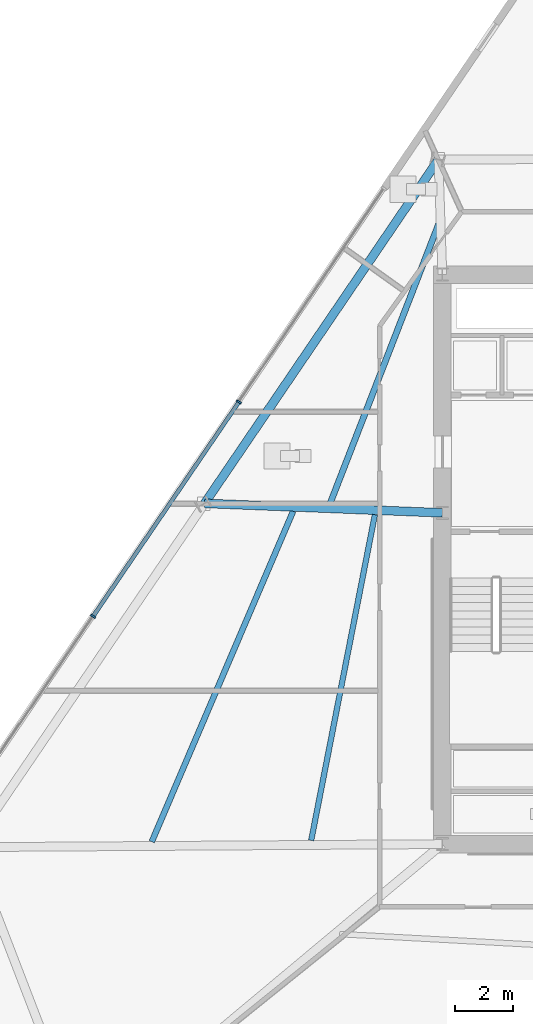
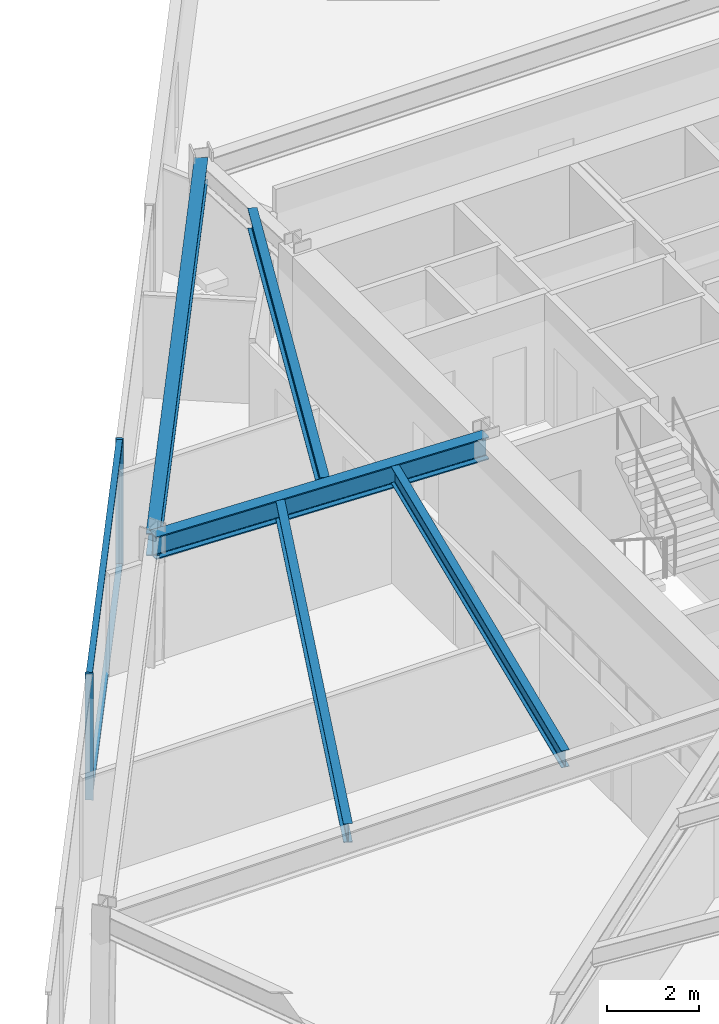
# One storey, part 4 of 18: 5 beams, 4 members, 1 element without a shape of its own.
"""IFC4 building model written with IfcOpenShell, lengths in metres."""

from ifc_helpers import new_model, si_unit, direction, frame, origin, origin_2d, place, context, subcontext, project, spatial, rectangle, i_section, extrude, material, material_profile, profile_set, type_object, element, aggregate, save


model = new_model("IFC4")

# Units and contexts
model_context = context("Model", 3, precision=1e-05, world=origin(), true_north=direction((0.0, 1.0)))
body_context = subcontext(model_context, "Body", "Model", "MODEL_VIEW")
ifc_project = project(units=[si_unit("LENGTHUNIT", "METRE"), si_unit("AREAUNIT", "SQUARE_METRE"), si_unit("VOLUMEUNIT", "CUBIC_METRE"), si_unit("PLANEANGLEUNIT", "RADIAN"), si_unit("MASSUNIT", "GRAM", prefix="KILO")], contexts=[model_context])

# Site, building, storey
site_placement = place(None, origin())
site = spatial("IfcSite", under=ifc_project, at=site_placement, CompositionType="ELEMENT")
building_placement = place(site_placement, origin())
building = spatial("IfcBuilding", under=site, at=building_placement, Name="Savorim Split Tower", CompositionType="ELEMENT")
storey_placement = place(building_placement, frame((0.0, 0.0, 40.800048828125)))
storey = spatial("IfcBuildingStorey", under=building, at=storey_placement, Name="L10", CompositionType="ELEMENT", Elevation=40.800048828125)

# Beams
ifc_material_1 = material(Name="Steel S355", Category="steel")
ifc_material_profile_1 = material_profile(ifc_material_1, i_section(OverallWidth=0.18994140625, OverallDepth=0.449951171875, WebThickness=0.009521484375, FlangeThickness=0.0146484375, FilletRadius=0.02099609375, at=origin_2d()), Name="IPE 450")
ifc_profile_set_1 = profile_set([ifc_material_profile_1], Name="Steel S355")
beam_type_1 = type_object("IfcBeamType", Name="BM-JST-IPE450", PredefinedType="JOIST", material=ifc_profile_set_1)
beam_1_placement = place(storey_placement, frame((-10.021484375, 1.93408203125, 3.125), z_axis=(-0.191957438631, -0.981403251347, 0.0), x_axis=(0.981403251347, -0.191957438631, 0.0)))
element("IfcBeam", 1, at=beam_1_placement, inside=storey, type_object=beam_type_1, Name="L10 Secondary Floor Joist JS-11", PredefinedType="JOIST", context=body_context, shape_type="SweptSolid", body=[
    extrude(i_section(OverallWidth=0.18994140625, OverallDepth=0.449951171875, WebThickness=0.009521484375, FlangeThickness=0.0146484375, FilletRadius=0.02099609375, at=origin_2d()), origin(), (0.0, 0.0, 1.0), 11.418701171875),
])
ifc_material_profile_2 = material_profile(ifc_material_1, i_section(OverallWidth=0.199951171875, OverallDepth=0.5, WebThickness=0.01025390625, FlangeThickness=0.01611328125, FilletRadius=0.02099609375, at=origin_2d()), Name="IPE 500")
ifc_profile_set_2 = profile_set([ifc_material_profile_2], Name="Steel S355")
beam_type_2 = type_object("IfcBeamType", Name="BM-JST-IPE500", PredefinedType="JOIST", material=ifc_profile_set_2)
beam_2_placement = place(storey_placement, frame((-12.835205078125, 2.054931640625, 3.099853515625), z_axis=(-0.39323072224, -0.919439828965, 0.0), x_axis=(0.919439828965, -0.39323072224, 0.0)))
element("IfcBeam", 2, at=beam_2_placement, inside=storey, type_object=beam_type_2, Name="L10 Secondary Floor Joist JS-10", PredefinedType="JOIST", context=body_context, shape_type="SweptSolid", body=[
    extrude(i_section(OverallWidth=0.199951171875, OverallDepth=0.5, WebThickness=0.01025390625, FlangeThickness=0.01611328125, FilletRadius=0.02099609375, at=origin_2d()), origin(), (0.0, 0.0, 1.0), 12.36865234375),
])
ifc_material_profile_3 = material_profile(ifc_material_1, i_section(OverallWidth=0.2099609375, OverallDepth=0.550048828125, WebThickness=0.010986328125, FlangeThickness=0.01708984375, FilletRadius=0.02392578125, at=origin_2d()), Name="IPE 550")
ifc_profile_set_3 = profile_set([ifc_material_profile_3], Name="Steel S355")
beam_type_3 = type_object("IfcBeamType", Name="BM-JST-IPE550", PredefinedType="JOIST", material=ifc_profile_set_3)
beam_3_placement = place(storey_placement, frame((-7.822021484375, 11.94970703125, 3.074951171875), z_axis=(-0.362153600508, -0.932118431123, 0.0), x_axis=(0.932118431123, -0.362153600508, 0.0)))
element("IfcBeam", 3, at=beam_3_placement, inside=storey, type_object=beam_type_3, Name="L10 Secondary Floor Joist JS-09", PredefinedType="JOIST", context=body_context, shape_type="SweptSolid", body=[
    extrude(i_section(OverallWidth=0.2099609375, OverallDepth=0.550048828125, WebThickness=0.010986328125, FlangeThickness=0.01708984375, FilletRadius=0.02392578125, at=origin_2d()), origin(), (0.0, 0.0, 1.0), 10.3466796875),
])
ifc_material_profile_4 = material_profile(ifc_material_1, i_section(OverallWidth=0.300048828125, OverallDepth=0.60009765625, WebThickness=0.015380859375, FlangeThickness=0.030029296875, FilletRadius=0.027099609375, at=origin_2d()), Name="HEB 600")
ifc_profile_set_4 = profile_set([ifc_material_profile_4], Name="Steel S355")
beam_type_4 = type_object("IfcBeamType", Name="BM-PRI-HEB600", PredefinedType="BEAM", material=ifc_profile_set_4)
beam_4_placement = place(storey_placement, frame((-15.88134765625, 2.32568359375, 3.050048828125), z_axis=(0.999208609004, -0.039776320743, 0.0), x_axis=(0.039776320743, 0.999208609004, 0.0)))
element("IfcBeam", 4, at=beam_4_placement, inside=storey, type_object=beam_type_4, Name="L10 Primary Floor Girder RG-09", PredefinedType="BEAM", context=body_context, shape_type="SweptSolid", body=[
    extrude(i_section(OverallWidth=0.300048828125, OverallDepth=0.60009765625, WebThickness=0.015380859375, FlangeThickness=0.030029296875, FilletRadius=0.027099609375, at=origin_2d()), origin(), (0.0, 0.0, 1.0), 8.18798828125),
])
ifc_material_profile_5 = material_profile(ifc_material_1, i_section(OverallWidth=0.300048828125, OverallDepth=0.590087890625, WebThickness=0.012939453125, FlangeThickness=0.02490234375, FilletRadius=0.027099609375, at=origin_2d()), Name="HEA 600")
ifc_profile_set_5 = profile_set([ifc_material_profile_5], Name="Steel S355")
beam_type_5 = type_object("IfcBeamType", Name="BM-SPN-HEA600", PredefinedType="SPANDREL", material=ifc_profile_set_5)
beam_5_placement = place(storey_placement, frame((-7.83349609375, 14.15576171875, 3.054931640625), z_axis=(-0.562472428648, -0.82681604182, 0.0), x_axis=(0.82681604182, -0.562472428648, 0.0)))
element("IfcBeam", 5, at=beam_5_placement, inside=storey, type_object=beam_type_5, Name="L10 Perimeter Spandrel Beam 8", PredefinedType="SPANDREL", context=body_context, shape_type="SweptSolid", body=[
    extrude(i_section(OverallWidth=0.300048828125, OverallDepth=0.590087890625, WebThickness=0.012939453125, FlangeThickness=0.02490234375, FilletRadius=0.027099609375, at=origin_2d()), origin(), (0.0, 0.0, 1.0), 14.30810546875),
])

# Curtain wall, members
ifc_material_2 = material(Name="Dark Ceramic-Fritted Insulated Glass", Category="glass")
curtain_wall_type = type_object("IfcCurtainWallType", Name="CW-TWR-FRIT-A", PredefinedType="NOTDEFINED", material=ifc_material_2)
curtain_wall_placement = place(storey_placement, origin())
curtain_wall = element("IfcCurtainWall", 6, at=curtain_wall_placement, inside=storey, type_object=curtain_wall_type, Name="L10 Curtain Wall CW-L10-WEST", PredefinedType="NOTDEFINED")
ifc_material_3 = material(Name="Charcoal Anodised Aluminium", Category="aluminium")
ifc_material_profile_6 = material_profile(ifc_material_3, rectangle(XDim=0.179931640625, YDim=0.06494140625, at=origin_2d()), Name="ALU-M 180x65")
ifc_profile_set_6 = profile_set([ifc_material_profile_6], Name="Charcoal Anodised Aluminium")
member_type_1 = type_object("IfcMemberType", Name="CWM-180x65", PredefinedType="MULLION", material=ifc_profile_set_6)
member_1_placement = place(storey_placement, frame((-14.700927734375, 5.81591796875, 0.0), z_axis=(0.0, 0.0, 1.0), x_axis=(0.826820923165, -0.562465253164, 0.0)))
member_1 = element("IfcMember", 7, at=member_1_placement, type_object=member_type_1, Name="CW-02 mullion 2", PredefinedType="MULLION", context=body_context, shape_type="SweptSolid", body=[
    extrude(rectangle(XDim=0.179931640625, YDim=0.06494140625, at=origin_2d()), origin(), (0.0, 0.0, 1.0), 3.349853515625),
])
member_2_placement = place(storey_placement, frame((-19.718017578125, -1.55908203125, 0.0), z_axis=(0.0, 0.0, 1.0), x_axis=(0.826820923165, -0.562465253164, 0.0)))
member_2 = element("IfcMember", 8, at=member_2_placement, type_object=member_type_1, Name="CW-02 mullion 3", PredefinedType="MULLION", context=body_context, shape_type="SweptSolid", body=[
    extrude(rectangle(XDim=0.179931640625, YDim=0.06494140625, at=origin_2d()), origin(), (0.0, 0.0, 1.0), 3.349853515625),
])
ifc_material_profile_7 = material_profile(ifc_material_3, rectangle(XDim=0.139892578125, YDim=0.054931640625, at=origin_2d()), Name="ALU-T 140x55")
ifc_profile_set_7 = profile_set([ifc_material_profile_7], Name="Charcoal Anodised Aluminium")
member_type_2 = type_object("IfcMemberType", Name="CWT-140x55", PredefinedType="USERDEFINED", material=ifc_profile_set_7)
member_3_placement = place(storey_placement, frame((-14.71923828125, 5.7890625, 0.02734375), z_axis=(-0.562463858464, -0.826821871942, 0.0), x_axis=(0.826821871942, -0.562463858464, 0.0)))
member_3 = element("IfcMember", 9, at=member_3_placement, type_object=member_type_2, Name="CW-02 transom 2.1", ObjectType="TRANSOM", PredefinedType="USERDEFINED", context=body_context, shape_type="SweptSolid", body=[
    extrude(rectangle(XDim=0.139892578125, YDim=0.054931640625, at=origin_2d()), origin(), (0.0, 0.0, 1.0), 8.854736328125),
])
member_4_placement = place(storey_placement, frame((-14.71923828125, 5.7890625, 3.322509765625), z_axis=(-0.562463858464, -0.826821871942, 0.0), x_axis=(0.826821871942, -0.562463858464, 0.0)))
member_4 = element("IfcMember", 10, at=member_4_placement, type_object=member_type_2, Name="CW-02 transom 2.2", ObjectType="TRANSOM", PredefinedType="USERDEFINED", context=body_context, shape_type="SweptSolid", body=[
    extrude(rectangle(XDim=0.139892578125, YDim=0.054931640625, at=origin_2d()), origin(), (0.0, 0.0, 1.0), 8.854736328125),
])
aggregate(curtain_wall, [member_1, member_2, member_3, member_4])

save(model, "model.ifc")
